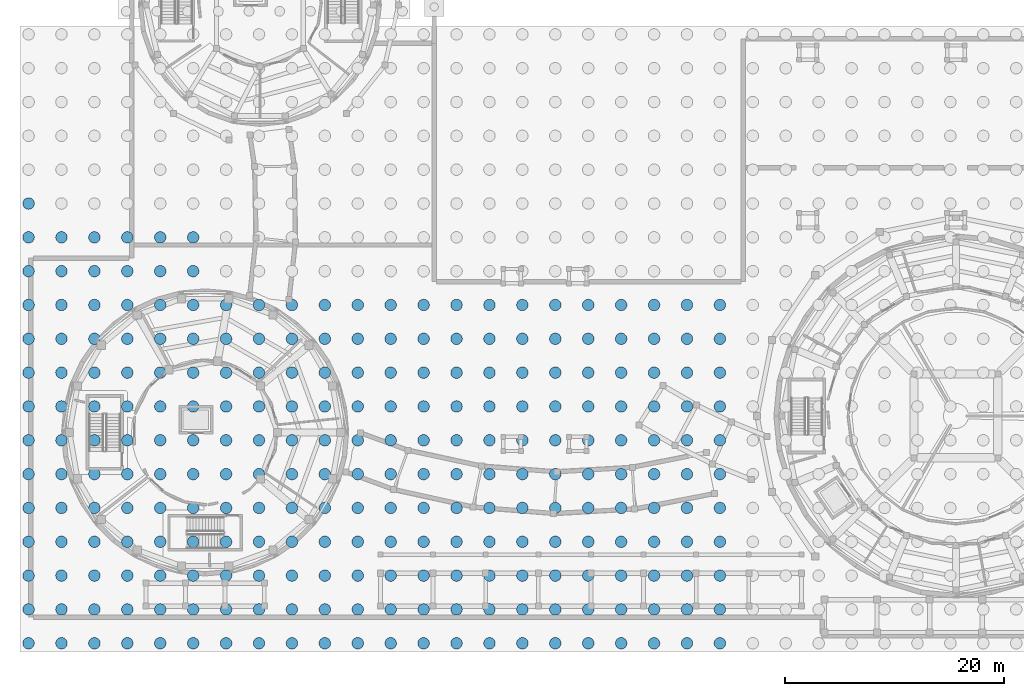
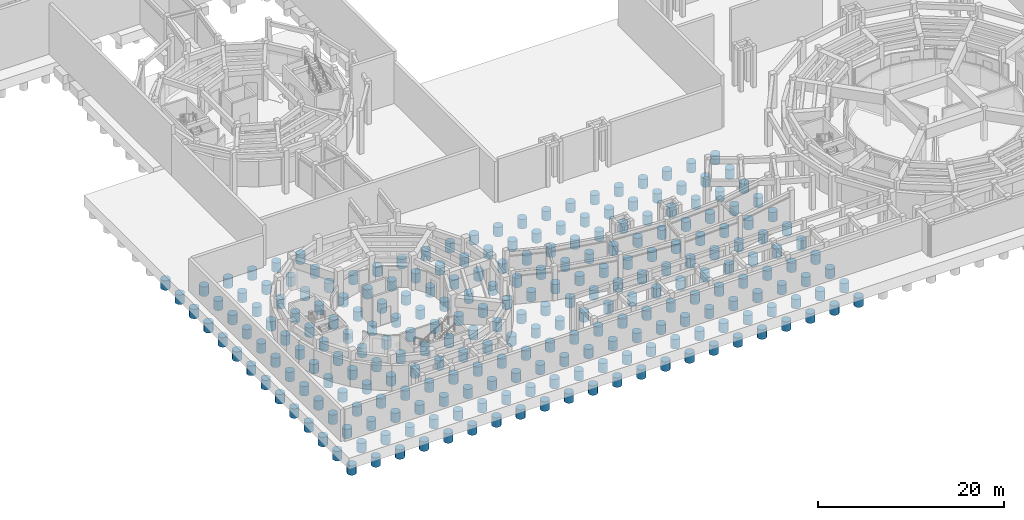
# One storey, part 1 of 57: 255 piles.
"""IFC4 building model written with IfcOpenShell, lengths in metres."""

from ifc_helpers import new_model, si_unit, direction, frame, origin, origin_2d, place, context, subcontext, project, spatial, circle, extrude, material, material_profile, profile_set, type_object, element, save


model = new_model("IFC4")

# Units and contexts
model_context = context("Model", 3, precision=1e-05, world=origin(), true_north=direction((0.0, 1.0)))
body_context = subcontext(model_context, "Body", "Model", "MODEL_VIEW")
ifc_project = project(units=[si_unit("LENGTHUNIT", "METRE"), si_unit("AREAUNIT", "SQUARE_METRE"), si_unit("VOLUMEUNIT", "CUBIC_METRE"), si_unit("PLANEANGLEUNIT", "RADIAN"), si_unit("MASSUNIT", "GRAM", prefix="KILO")], contexts=[model_context])

# Site, building, storey
site_placement = place(None, origin())
site = spatial("IfcSite", under=ifc_project, at=site_placement, CompositionType="ELEMENT")
building_placement = place(site_placement, origin())
building = spatial("IfcBuilding", under=site, at=building_placement, Name="Aldenvaro Health Centre", CompositionType="ELEMENT")
storey_placement = place(building_placement, frame((0.0, 0.0, -4.550048828125)))
storey = spatial("IfcBuildingStorey", under=building, at=storey_placement, Name="B1", CompositionType="ELEMENT", Elevation=-4.550048828125)

# Piles
ifc_material = material(Name="Concrete f'c 40 MPa", Category="concrete")
ifc_material_profile = material_profile(ifc_material, circle(Radius=0.52490234375, at=origin_2d()), Name="PILE D1050", Category="concrete")
ifc_profile_set = profile_set([ifc_material_profile], Name="Concrete f'c 40 MPa")
pile_type = type_object("IfcPileType", Name="PILE-D1050", PredefinedType="BORED", material=ifc_profile_set)
for number, where, z_axis, x_axis, name in (
    (1, (2.39306640625, -0.737060546875, -1.349853515625), (0.0, 0.0, -1.0), (1.0, 0.0, 0.0), "Bored Pile BP-03 #0001"),
    (2, (2.39306640625, 2.34912109375, -1.349853515625), (0.0, 0.0, -1.0), (1.0, 0.0, 0.0), "Bored Pile BP-03 #0002"),
    (3, (2.39306640625, 5.43505859375, -1.349853515625), (0.0, 0.0, -1.0), (1.0, 0.0, 0.0), "Bored Pile BP-03 #0003"),
    (4, (2.39306640625, 8.52099609375, -1.349853515625), (0.0, 0.0, -1.0), (1.0, 0.0, 0.0), "Bored Pile BP-03 #0004"),
    (5, (2.39306640625, 11.60693359375, -1.349853515625), (0.0, 0.0, -1.0), (1.0, 0.0, 0.0), "Bored Pile BP-03 #0005"),
    (6, (2.39306640625, 14.694091796875, -1.349853515625), (0.0, 0.0, -1.0), (1.0, 0.0, 0.0), "Bored Pile BP-03 #0006"),
    (7, (2.39306640625, 17.780029296875, -1.349853515625), (0.0, 0.0, -1.0), (1.0, 0.0, 0.0), "Bored Pile BP-03 #0007"),
    (8, (2.39306640625, 20.865966796875, -1.349853515625), (0.0, 0.0, -1.0), (1.0, 0.0, 0.0), "Bored Pile BP-03 #0008"),
    (9, (2.39306640625, 23.951904296875, -1.349853515625), (0.0, 0.0, -1.0), (1.0, 0.0, 0.0), "Bored Pile BP-03 #0009"),
    (10, (2.39306640625, 27.0380859375, -1.349853515625), (0.0, 0.0, -1.0), (1.0, 0.0, 0.0), "Bored Pile BP-03 #0010"),
    (11, (2.39306640625, 30.1240234375, -1.349853515625), (0.0, 0.0, -1.0), (1.0, 0.0, 0.0), "Bored Pile BP-03 #0011"),
    (12, (2.39306640625, 33.2099609375, -1.349853515625), (0.0, 0.0, -1.0), (1.0, 0.0, 0.0), "Bored Pile BP-03 #0012"),
    (13, (2.39306640625, 36.2958984375, -1.349853515625), (0.0, 0.0, -1.0), (1.0, 0.0, 0.0), "Bored Pile BP-03 #0013"),
    (14, (2.39306640625, 39.382080078125, -1.349853515625), (0.0, 0.0, -1.0), (1.0, 0.0, 0.0), "Bored Pile BP-03 #0014"),
    (15, (5.39599609375, -0.737060546875, -1.349853515625), (0.0, 0.0, -1.0), (1.0, 0.0, 0.0), "Bored Pile BP-03 #0020"),
    (16, (5.39599609375, 2.34912109375, -1.349853515625), (0.0, 0.0, -1.0), (1.0, 0.0, 0.0), "Bored Pile BP-03 #0021"),
    (17, (5.39599609375, 5.43505859375, -1.349853515625), (0.0, 0.0, -1.0), (1.0, 0.0, 0.0), "Bored Pile BP-03 #0022"),
    (18, (5.39599609375, 8.52099609375, -1.349853515625), (0.0, 0.0, -1.0), (1.0, 0.0, 0.0), "Bored Pile BP-03 #0023"),
    (19, (5.39599609375, 11.60693359375, -1.349853515625), (0.0, 0.0, -1.0), (1.0, 0.0, 0.0), "Bored Pile BP-03 #0024"),
    (20, (5.39599609375, 14.694091796875, -1.349853515625), (0.0, 0.0, -1.0), (1.0, 0.0, 0.0), "Bored Pile BP-03 #0025"),
    (21, (5.39599609375, 17.780029296875, -1.349853515625), (0.0, 0.0, -1.0), (1.0, 0.0, 0.0), "Bored Pile BP-03 #0026"),
    (22, (5.39599609375, 20.865966796875, -1.349853515625), (0.0, 0.0, -1.0), (1.0, 0.0, 0.0), "Bored Pile BP-03 #0027"),
    (23, (5.39599609375, 23.951904296875, -1.349853515625), (0.0, 0.0, -1.0), (1.0, 0.0, 0.0), "Bored Pile BP-03 #0028"),
    (24, (5.39599609375, 27.0380859375, -1.349853515625), (0.0, 0.0, -1.0), (1.0, 0.0, 0.0), "Bored Pile BP-03 #0029"),
    (25, (5.39599609375, 30.1240234375, -1.349853515625), (0.0, 0.0, -1.0), (1.0, 0.0, 0.0), "Bored Pile BP-03 #0030"),
    (26, (5.39599609375, 33.2099609375, -1.349853515625), (0.0, 0.0, -1.0), (1.0, 0.0, 0.0), "Bored Pile BP-03 #0031"),
    (27, (5.39599609375, 36.2958984375, -1.349853515625), (0.0, 0.0, -1.0), (1.0, 0.0, 0.0), "Bored Pile BP-03 #0032"),
    (28, (8.39990234375, -0.737060546875, -1.349853515625), (0.0, 0.0, -1.0), (1.0, 0.0, 0.0), "Bored Pile BP-03 #0039"),
    (29, (8.39990234375, 2.34912109375, -1.349853515625), (0.0, 0.0, -1.0), (1.0, 0.0, 0.0), "Bored Pile BP-03 #0040"),
    (30, (8.39990234375, 5.43505859375, -1.349853515625), (0.0, 0.0, -1.0), (1.0, 0.0, 0.0), "Bored Pile BP-03 #0041"),
    (31, (8.39990234375, 8.52099609375, -1.349853515625), (0.0, 0.0, -1.0), (1.0, 0.0, 0.0), "Bored Pile BP-03 #0042"),
    (32, (8.39990234375, 11.60693359375, -1.349853515625), (0.0, 0.0, -1.0), (1.0, 0.0, 0.0), "Bored Pile BP-03 #0043"),
    (33, (8.39990234375, 14.694091796875, -1.349853515625), (0.0, 0.0, -1.0), (1.0, 0.0, 0.0), "Bored Pile BP-03 #0044"),
    (34, (8.39990234375, 17.780029296875, -1.349853515625), (0.0, 0.0, -1.0), (1.0, 0.0, 0.0), "Bored Pile BP-03 #0045"),
    (35, (8.39990234375, 20.865966796875, -1.349853515625), (0.0, 0.0, -1.0), (1.0, 0.0, 0.0), "Bored Pile BP-03 #0046"),
    (36, (8.39990234375, 23.951904296875, -1.349853515625), (0.0, 0.0, -1.0), (1.0, 0.0, 0.0), "Bored Pile BP-03 #0047"),
    (37, (8.39990234375, 27.0380859375, -1.349853515625), (0.0, 0.0, -1.0), (1.0, 0.0, 0.0), "Bored Pile BP-03 #0048"),
    (38, (8.39990234375, 30.1240234375, -1.349853515625), (0.0, 0.0, -1.0), (1.0, 0.0, 0.0), "Bored Pile BP-03 #0049"),
    (39, (8.39990234375, 33.2099609375, -1.349853515625), (0.0, 0.0, -1.0), (1.0, 0.0, 0.0), "Bored Pile BP-03 #0050"),
    (40, (8.39990234375, 36.2958984375, -1.349853515625), (0.0, 0.0, -1.0), (1.0, 0.0, 0.0), "Bored Pile BP-03 #0051"),
    (41, (11.403076171875, -0.737060546875, -1.349853515625), (0.0, 0.0, -1.0), (1.0, 0.0, 0.0), "Bored Pile BP-03 #0058"),
    (42, (11.403076171875, 2.34912109375, -1.349853515625), (0.0, 0.0, -1.0), (1.0, 0.0, 0.0), "Bored Pile BP-03 #0059"),
    (43, (11.403076171875, 5.43505859375, -1.349853515625), (0.0, 0.0, -1.0), (1.0, 0.0, 0.0), "Bored Pile BP-03 #0060"),
    (44, (11.403076171875, 8.52099609375, -1.349853515625), (0.0, 0.0, -1.0), (1.0, 0.0, 0.0), "Bored Pile BP-03 #0061"),
    (45, (11.403076171875, 11.60693359375, -1.349853515625), (0.0, 0.0, -1.0), (1.0, 0.0, 0.0), "Bored Pile BP-03 #0062"),
    (46, (11.403076171875, 14.694091796875, -1.349853515625), (0.0, 0.0, -1.0), (1.0, 0.0, 0.0), "Bored Pile BP-03 #0063"),
    (47, (11.403076171875, 17.780029296875, -1.349853515625), (0.0, 0.0, -1.0), (1.0, 0.0, 0.0), "Bored Pile BP-03 #0064"),
    (48, (11.403076171875, 20.865966796875, -1.349853515625), (0.0, 0.0, -1.0), (1.0, 0.0, 0.0), "Bored Pile BP-03 #0065"),
    (49, (11.403076171875, 23.951904296875, -1.349853515625), (0.0, 0.0, -1.0), (1.0, 0.0, 0.0), "Bored Pile BP-03 #0066"),
    (50, (11.403076171875, 27.0380859375, -1.349853515625), (0.0, 0.0, -1.0), (1.0, 0.0, 0.0), "Bored Pile BP-03 #0067"),
    (51, (11.403076171875, 30.1240234375, -1.349853515625), (0.0, 0.0, -1.0), (1.0, 0.0, 0.0), "Bored Pile BP-03 #0068"),
    (52, (11.403076171875, 33.2099609375, -1.349853515625), (0.0, 0.0, -1.0), (1.0, 0.0, 0.0), "Bored Pile BP-03 #0069"),
    (53, (11.403076171875, 36.2958984375, -1.349853515625), (0.0, 0.0, -1.0), (1.0, 0.0, 0.0), "Bored Pile BP-03 #0070"),
    (54, (14.406982421875, -0.737060546875, -1.349853515625), (0.0, 0.0, -1.0), (1.0, 0.0, 0.0), "Bored Pile BP-03 #0077"),
    (55, (14.406982421875, 2.34912109375, -1.349853515625), (0.0, 0.0, -1.0), (1.0, 0.0, 0.0), "Bored Pile BP-03 #0078"),
    (56, (14.406982421875, 5.43505859375, -1.349853515625), (0.0, 0.0, -1.0), (1.0, 0.0, 0.0), "Bored Pile BP-03 #0079"),
    (57, (14.406982421875, 8.52099609375, -1.349853515625), (0.0, 0.0, -1.0), (1.0, 0.0, 0.0), "Bored Pile BP-03 #0080"),
    (58, (14.406982421875, 11.60693359375, -1.349853515625), (0.0, 0.0, -1.0), (1.0, 0.0, 0.0), "Bored Pile BP-03 #0081"),
    (59, (14.406982421875, 14.694091796875, -1.349853515625), (0.0, 0.0, -1.0), (1.0, 0.0, 0.0), "Bored Pile BP-03 #0082"),
    (60, (14.406982421875, 17.780029296875, -1.349853515625), (0.0, 0.0, -1.0), (1.0, 0.0, 0.0), "Bored Pile BP-03 #0083"),
    (61, (14.406982421875, 20.865966796875, -1.349853515625), (0.0, 0.0, -1.0), (1.0, 0.0, 0.0), "Bored Pile BP-03 #0084"),
    (62, (14.406982421875, 23.951904296875, -1.349853515625), (0.0, 0.0, -1.0), (1.0, 0.0, 0.0), "Bored Pile BP-03 #0085"),
    (63, (14.406982421875, 27.0380859375, -1.349853515625), (0.0, 0.0, -1.0), (1.0, 0.0, 0.0), "Bored Pile BP-03 #0086"),
    (64, (14.406982421875, 30.1240234375, -1.349853515625), (0.0, 0.0, -1.0), (1.0, 0.0, 0.0), "Bored Pile BP-03 #0087"),
    (65, (14.406982421875, 33.2099609375, -1.349853515625), (0.0, 0.0, -1.0), (1.0, 0.0, 0.0), "Bored Pile BP-03 #0088"),
    (66, (14.406982421875, 36.2958984375, -1.349853515625), (0.0, 0.0, -1.0), (1.0, 0.0, 0.0), "Bored Pile BP-03 #0089"),
    (67, (17.409912109375, -0.737060546875, -1.349853515625), (0.0, 0.0, -1.0), (1.0, 0.0, 0.0), "Bored Pile BP-03 #0096"),
    (68, (17.409912109375, 2.34912109375, -1.349853515625), (0.0, 0.0, -1.0), (1.0, 0.0, 0.0), "Bored Pile BP-03 #0097"),
    (69, (17.409912109375, 5.43505859375, -1.349853515625), (0.0, 0.0, -1.0), (1.0, 0.0, 0.0), "Bored Pile BP-03 #0098"),
    (70, (17.409912109375, 8.52099609375, -1.349853515625), (0.0, 0.0, -1.0), (1.0, 0.0, 0.0), "Bored Pile BP-03 #0099"),
    (71, (17.409912109375, 11.60693359375, -1.349853515625), (0.0, 0.0, -1.0), (1.0, 0.0, 0.0), "Bored Pile BP-03 #0100"),
    (72, (17.409912109375, 14.694091796875, -1.349853515625), (0.0, 0.0, -1.0), (1.0, 0.0, 0.0), "Bored Pile BP-03 #0101"),
    (73, (17.409912109375, 17.780029296875, -1.349853515625), (0.0, 0.0, -1.0), (1.0, 0.0, 0.0), "Bored Pile BP-03 #0102"),
    (74, (17.409912109375, 20.865966796875, -1.349853515625), (0.0, 0.0, -1.0), (1.0, 0.0, 0.0), "Bored Pile BP-03 #0103"),
    (75, (17.409912109375, 23.951904296875, -1.349853515625), (0.0, 0.0, -1.0), (1.0, 0.0, 0.0), "Bored Pile BP-03 #0104"),
    (76, (17.409912109375, 27.0380859375, -1.349853515625), (0.0, 0.0, -1.0), (1.0, 0.0, 0.0), "Bored Pile BP-03 #0105"),
    (77, (17.409912109375, 30.1240234375, -1.349853515625), (0.0, 0.0, -1.0), (1.0, 0.0, 0.0), "Bored Pile BP-03 #0106"),
    (78, (17.409912109375, 33.2099609375, -1.349853515625), (0.0, 0.0, -1.0), (1.0, 0.0, 0.0), "Bored Pile BP-03 #0107"),
    (79, (17.409912109375, 36.2958984375, -1.349853515625), (0.0, 0.0, -1.0), (1.0, 0.0, 0.0), "Bored Pile BP-03 #0108"),
    (80, (20.4140625, -0.737060546875, -1.349853515625), (0.0, 0.0, -1.0), (1.0, 0.0, 0.0), "Bored Pile BP-03 #0115"),
    (81, (20.4140625, 2.34912109375, -1.349853515625), (0.0, 0.0, -1.0), (1.0, 0.0, 0.0), "Bored Pile BP-03 #0116"),
    (82, (20.4140625, 5.43505859375, -1.349853515625), (0.0, 0.0, -1.0), (1.0, 0.0, 0.0), "Bored Pile BP-03 #0117"),
    (83, (20.4140625, 8.52099609375, -1.349853515625), (0.0, 0.0, -1.0), (1.0, 0.0, 0.0), "Bored Pile BP-03 #0118"),
    (84, (20.4140625, 11.60693359375, -1.349853515625), (0.0, 0.0, -1.0), (1.0, 0.0, 0.0), "Bored Pile BP-03 #0119"),
    (85, (20.4140625, 14.694091796875, -1.349853515625), (0.0, 0.0, -1.0), (1.0, 0.0, 0.0), "Bored Pile BP-03 #0120"),
    (86, (20.4140625, 17.780029296875, -1.349853515625), (0.0, 0.0, -1.0), (1.0, 0.0, 0.0), "Bored Pile BP-03 #0121"),
    (87, (20.4140625, 20.865966796875, -1.349853515625), (0.0, 0.0, -1.0), (1.0, 0.0, 0.0), "Bored Pile BP-03 #0122"),
    (88, (20.4140625, 23.951904296875, -1.349853515625), (0.0, 0.0, -1.0), (1.0, 0.0, 0.0), "Bored Pile BP-03 #0123"),
    (89, (20.4140625, 27.0380859375, -1.349853515625), (0.0, 0.0, -1.0), (1.0, 0.0, 0.0), "Bored Pile BP-03 #0124"),
    (90, (20.4140625, 30.1240234375, -1.349853515625), (0.0, 0.0, -1.0), (1.0, 0.0, 0.0), "Bored Pile BP-03 #0125"),
    (91, (23.4169921875, -0.737060546875, -1.349853515625), (0.0, 0.0, -1.0), (1.0, 0.0, 0.0), "Bored Pile BP-03 #0134"),
    (92, (23.4169921875, 2.34912109375, -1.349853515625), (0.0, 0.0, -1.0), (1.0, 0.0, 0.0), "Bored Pile BP-03 #0135"),
    (93, (23.4169921875, 5.43505859375, -1.349853515625), (0.0, 0.0, -1.0), (1.0, 0.0, 0.0), "Bored Pile BP-03 #0136"),
    (94, (23.4169921875, 8.52099609375, -1.349853515625), (0.0, 0.0, -1.0), (1.0, 0.0, 0.0), "Bored Pile BP-03 #0137"),
    (95, (23.4169921875, 11.60693359375, -1.349853515625), (0.0, 0.0, -1.0), (1.0, 0.0, 0.0), "Bored Pile BP-03 #0138"),
    (96, (23.4169921875, 14.694091796875, -1.349853515625), (0.0, 0.0, -1.0), (1.0, 0.0, 0.0), "Bored Pile BP-03 #0139"),
    (97, (23.4169921875, 17.780029296875, -1.349853515625), (0.0, 0.0, -1.0), (1.0, 0.0, 0.0), "Bored Pile BP-03 #0140"),
    (98, (23.4169921875, 20.865966796875, -1.349853515625), (0.0, 0.0, -1.0), (1.0, 0.0, 0.0), "Bored Pile BP-03 #0141"),
    (99, (23.4169921875, 23.951904296875, -1.349853515625), (0.0, 0.0, -1.0), (1.0, 0.0, 0.0), "Bored Pile BP-03 #0142"),
    (100, (23.4169921875, 27.0380859375, -1.349853515625), (0.0, 0.0, -1.0), (1.0, 0.0, 0.0), "Bored Pile BP-03 #0143"),
    (101, (23.4169921875, 30.1240234375, -1.349853515625), (0.0, 0.0, -1.0), (1.0, 0.0, 0.0), "Bored Pile BP-03 #0144"),
    (102, (26.4208984375, -0.737060546875, -1.349853515625), (0.0, 0.0, -1.0), (1.0, 0.0, 0.0), "Bored Pile BP-03 #0153"),
    (103, (26.4208984375, 2.34912109375, -1.349853515625), (0.0, 0.0, -1.0), (1.0, 0.0, 0.0), "Bored Pile BP-03 #0154"),
    (104, (26.4208984375, 5.43505859375, -1.349853515625), (0.0, 0.0, -1.0), (1.0, 0.0, 0.0), "Bored Pile BP-03 #0155"),
    (105, (26.4208984375, 8.52099609375, -1.349853515625), (0.0, 0.0, -1.0), (1.0, 0.0, 0.0), "Bored Pile BP-03 #0156"),
    (106, (26.4208984375, 11.60693359375, -1.349853515625), (0.0, 0.0, -1.0), (1.0, 0.0, 0.0), "Bored Pile BP-03 #0157"),
    (107, (26.4208984375, 14.694091796875, -1.349853515625), (0.0, 0.0, -1.0), (1.0, 0.0, 0.0), "Bored Pile BP-03 #0158"),
    (108, (26.4208984375, 17.780029296875, -1.349853515625), (0.0, 0.0, -1.0), (1.0, 0.0, 0.0), "Bored Pile BP-03 #0159"),
    (109, (26.4208984375, 20.865966796875, -1.349853515625), (0.0, 0.0, -1.0), (1.0, 0.0, 0.0), "Bored Pile BP-03 #0160"),
    (110, (26.4208984375, 23.951904296875, -1.349853515625), (0.0, 0.0, -1.0), (1.0, 0.0, 0.0), "Bored Pile BP-03 #0161"),
    (111, (26.4208984375, 27.0380859375, -1.349853515625), (0.0, 0.0, -1.0), (1.0, 0.0, 0.0), "Bored Pile BP-03 #0162"),
    (112, (26.4208984375, 30.1240234375, -1.349853515625), (0.0, 0.0, -1.0), (1.0, 0.0, 0.0), "Bored Pile BP-03 #0163"),
    (113, (29.424072265625, -0.737060546875, -1.349853515625), (0.0, 0.0, -1.0), (1.0, 0.0, 0.0), "Bored Pile BP-03 #0172"),
    (114, (29.424072265625, 2.34912109375, -1.349853515625), (0.0, 0.0, -1.0), (1.0, 0.0, 0.0), "Bored Pile BP-03 #0173"),
    (115, (29.424072265625, 5.43505859375, -1.349853515625), (0.0, 0.0, -1.0), (1.0, 0.0, 0.0), "Bored Pile BP-03 #0174"),
    (116, (29.424072265625, 8.52099609375, -1.349853515625), (0.0, 0.0, -1.0), (1.0, 0.0, 0.0), "Bored Pile BP-03 #0175"),
    (117, (29.424072265625, 11.60693359375, -1.349853515625), (0.0, 0.0, -1.0), (1.0, 0.0, 0.0), "Bored Pile BP-03 #0176"),
    (118, (29.424072265625, 14.694091796875, -1.349853515625), (0.0, 0.0, -1.0), (1.0, 0.0, 0.0), "Bored Pile BP-03 #0177"),
    (119, (29.424072265625, 17.780029296875, -1.349853515625), (0.0, 0.0, -1.0), (1.0, 0.0, 0.0), "Bored Pile BP-03 #0178"),
    (120, (29.424072265625, 20.865966796875, -1.349853515625), (0.0, 0.0, -1.0), (1.0, 0.0, 0.0), "Bored Pile BP-03 #0179"),
    (121, (29.424072265625, 23.951904296875, -1.349853515625), (0.0, 0.0, -1.0), (1.0, 0.0, 0.0), "Bored Pile BP-03 #0180"),
    (122, (29.424072265625, 27.0380859375, -1.349853515625), (0.0, 0.0, -1.0), (1.0, 0.0, 0.0), "Bored Pile BP-03 #0181"),
    (123, (29.424072265625, 30.1240234375, -1.349853515625), (0.0, 0.0, -1.0), (1.0, 0.0, 0.0), "Bored Pile BP-03 #0182"),
    (124, (32.427978515625, -0.737060546875, -1.349853515625), (0.0, 0.0, -1.0), (1.0, 0.0, 0.0), "Bored Pile BP-03 #0191"),
    (125, (32.427978515625, 2.34912109375, -1.349853515625), (0.0, 0.0, -1.0), (1.0, 0.0, 0.0), "Bored Pile BP-03 #0192"),
    (126, (32.427978515625, 5.43505859375, -1.349853515625), (0.0, 0.0, -1.0), (1.0, 0.0, 0.0), "Bored Pile BP-03 #0193"),
    (127, (32.427978515625, 8.52099609375, -1.349853515625), (0.0, 0.0, -1.0), (1.0, 0.0, 0.0), "Bored Pile BP-03 #0194"),
    (128, (32.427978515625, 11.60693359375, -1.349853515625), (0.0, 0.0, -1.0), (1.0, 0.0, 0.0), "Bored Pile BP-03 #0195"),
    (129, (32.427978515625, 14.694091796875, -1.349853515625), (0.0, 0.0, -1.0), (1.0, 0.0, 0.0), "Bored Pile BP-03 #0196"),
    (130, (32.427978515625, 17.780029296875, -1.349853515625), (0.0, 0.0, -1.0), (1.0, 0.0, 0.0), "Bored Pile BP-03 #0197"),
    (131, (32.427978515625, 20.865966796875, -1.349853515625), (0.0, 0.0, -1.0), (1.0, 0.0, 0.0), "Bored Pile BP-03 #0198"),
    (132, (32.427978515625, 23.951904296875, -1.349853515625), (0.0, 0.0, -1.0), (1.0, 0.0, 0.0), "Bored Pile BP-03 #0199"),
    (133, (32.427978515625, 27.0380859375, -1.349853515625), (0.0, 0.0, -1.0), (1.0, 0.0, 0.0), "Bored Pile BP-03 #0200"),
    (134, (32.427978515625, 30.1240234375, -1.349853515625), (0.0, 0.0, -1.0), (1.0, 0.0, 0.0), "Bored Pile BP-03 #0201"),
    (135, (35.430908203125, -0.737060546875, -1.349853515625), (0.0, 0.0, -1.0), (1.0, 0.0, 0.0), "Bored Pile BP-03 #0210"),
    (136, (35.430908203125, 2.34912109375, -1.349853515625), (0.0, 0.0, -1.0), (1.0, 0.0, 0.0), "Bored Pile BP-03 #0211"),
    (137, (35.430908203125, 5.43505859375, -1.349853515625), (0.0, 0.0, -1.0), (1.0, 0.0, 0.0), "Bored Pile BP-03 #0212"),
    (138, (35.430908203125, 8.52099609375, -1.349853515625), (0.0, 0.0, -1.0), (1.0, 0.0, 0.0), "Bored Pile BP-03 #0213"),
    (139, (35.430908203125, 11.60693359375, -1.349853515625), (0.0, 0.0, -1.0), (1.0, 0.0, 0.0), "Bored Pile BP-03 #0214"),
    (140, (35.430908203125, 14.694091796875, -1.349853515625), (0.0, 0.0, -1.0), (1.0, 0.0, 0.0), "Bored Pile BP-03 #0215"),
    (141, (35.430908203125, 17.780029296875, -1.349853515625), (0.0, 0.0, -1.0), (1.0, 0.0, 0.0), "Bored Pile BP-03 #0216"),
    (142, (35.430908203125, 20.865966796875, -1.349853515625), (0.0, 0.0, -1.0), (1.0, 0.0, 0.0), "Bored Pile BP-03 #0217"),
    (143, (35.430908203125, 23.951904296875, -1.349853515625), (0.0, 0.0, -1.0), (1.0, 0.0, 0.0), "Bored Pile BP-03 #0218"),
    (144, (35.430908203125, 27.0380859375, -1.349853515625), (0.0, 0.0, -1.0), (1.0, 0.0, 0.0), "Bored Pile BP-03 #0219"),
    (145, (35.430908203125, 30.1240234375, -1.349853515625), (0.0, 0.0, -1.0), (1.0, 0.0, 0.0), "Bored Pile BP-03 #0220"),
    (146, (38.43505859375, -0.737060546875, -1.349853515625), (0.0, 0.0, -1.0), (1.0, 0.0, 0.0), "Bored Pile BP-03 #0229"),
    (147, (38.43505859375, 2.34912109375, -1.349853515625), (0.0, 0.0, -1.0), (1.0, 0.0, 0.0), "Bored Pile BP-03 #0230"),
    (148, (38.43505859375, 5.43505859375, -1.349853515625), (0.0, 0.0, -1.0), (1.0, 0.0, 0.0), "Bored Pile BP-03 #0231"),
    (149, (38.43505859375, 8.52099609375, -1.349853515625), (0.0, 0.0, -1.0), (1.0, 0.0, 0.0), "Bored Pile BP-03 #0232"),
    (150, (38.43505859375, 11.60693359375, -1.349853515625), (0.0, 0.0, -1.0), (1.0, 0.0, 0.0), "Bored Pile BP-03 #0233"),
    (151, (38.43505859375, 14.694091796875, -1.349853515625), (0.0, 0.0, -1.0), (1.0, 0.0, 0.0), "Bored Pile BP-03 #0234"),
    (152, (38.43505859375, 17.780029296875, -1.349853515625), (0.0, 0.0, -1.0), (1.0, 0.0, 0.0), "Bored Pile BP-03 #0235"),
    (153, (38.43505859375, 20.865966796875, -1.349853515625), (0.0, 0.0, -1.0), (1.0, 0.0, 0.0), "Bored Pile BP-03 #0236"),
    (154, (38.43505859375, 23.951904296875, -1.349853515625), (0.0, 0.0, -1.0), (1.0, 0.0, 0.0), "Bored Pile BP-03 #0237"),
    (155, (38.43505859375, 27.0380859375, -1.349853515625), (0.0, 0.0, -1.0), (1.0, 0.0, 0.0), "Bored Pile BP-03 #0238"),
    (156, (38.43505859375, 30.1240234375, -1.349853515625), (0.0, 0.0, -1.0), (1.0, 0.0, 0.0), "Bored Pile BP-03 #0239"),
    (157, (41.43798828125, -0.737060546875, -1.349853515625), (0.0, 0.0, -1.0), (1.0, 0.0, 0.0), "Bored Pile BP-03 #0248"),
    (158, (41.43798828125, 2.34912109375, -1.349853515625), (0.0, 0.0, -1.0), (1.0, 0.0, 0.0), "Bored Pile BP-03 #0249"),
    (159, (41.43798828125, 5.43505859375, -1.349853515625), (0.0, 0.0, -1.0), (1.0, 0.0, 0.0), "Bored Pile BP-03 #0250"),
    (160, (41.43798828125, 8.52099609375, -1.349853515625), (0.0, 0.0, -1.0), (1.0, 0.0, 0.0), "Bored Pile BP-03 #0251"),
    (161, (41.43798828125, 11.60693359375, -1.349853515625), (0.0, 0.0, -1.0), (1.0, 0.0, 0.0), "Bored Pile BP-03 #0252"),
    (162, (41.43798828125, 14.694091796875, -1.349853515625), (0.0, 0.0, -1.0), (1.0, 0.0, 0.0), "Bored Pile BP-03 #0253"),
    (163, (41.43798828125, 17.780029296875, -1.349853515625), (0.0, 0.0, -1.0), (1.0, 0.0, 0.0), "Bored Pile BP-03 #0254"),
    (164, (41.43798828125, 20.865966796875, -1.349853515625), (0.0, 0.0, -1.0), (1.0, 0.0, 0.0), "Bored Pile BP-03 #0255"),
    (165, (41.43798828125, 23.951904296875, -1.349853515625), (0.0, 0.0, -1.0), (1.0, 0.0, 0.0), "Bored Pile BP-03 #0256"),
    (166, (41.43798828125, 27.0380859375, -1.349853515625), (0.0, 0.0, -1.0), (1.0, 0.0, 0.0), "Bored Pile BP-03 #0257"),
    (167, (41.43798828125, 30.1240234375, -1.349853515625), (0.0, 0.0, -1.0), (1.0, 0.0, 0.0), "Bored Pile BP-03 #0258"),
    (168, (44.44189453125, -0.737060546875, -1.349853515625), (0.0, 0.0, -1.0), (1.0, 0.0, 0.0), "Bored Pile BP-03 #0267"),
    (169, (44.44189453125, 2.34912109375, -1.349853515625), (0.0, 0.0, -1.0), (1.0, 0.0, 0.0), "Bored Pile BP-03 #0268"),
    (170, (44.44189453125, 5.43505859375, -1.349853515625), (0.0, 0.0, -1.0), (1.0, 0.0, 0.0), "Bored Pile BP-03 #0269"),
    (171, (44.44189453125, 8.52099609375, -1.349853515625), (0.0, 0.0, -1.0), (1.0, 0.0, 0.0), "Bored Pile BP-03 #0270"),
    (172, (44.44189453125, 11.60693359375, -1.349853515625), (0.0, 0.0, -1.0), (1.0, 0.0, 0.0), "Bored Pile BP-03 #0271"),
    (173, (44.44189453125, 14.694091796875, -1.349853515625), (0.0, 0.0, -1.0), (1.0, 0.0, 0.0), "Bored Pile BP-03 #0272"),
    (174, (44.44189453125, 17.780029296875, -1.349853515625), (0.0, 0.0, -1.0), (1.0, 0.0, 0.0), "Bored Pile BP-03 #0273"),
    (175, (44.44189453125, 20.865966796875, -1.349853515625), (0.0, 0.0, -1.0), (1.0, 0.0, 0.0), "Bored Pile BP-03 #0274"),
    (176, (44.44189453125, 23.951904296875, -1.349853515625), (0.0, 0.0, -1.0), (1.0, 0.0, 0.0), "Bored Pile BP-03 #0275"),
    (177, (44.44189453125, 27.0380859375, -1.349853515625), (0.0, 0.0, -1.0), (1.0, 0.0, 0.0), "Bored Pile BP-03 #0276"),
    (178, (44.44189453125, 30.1240234375, -1.349853515625), (0.0, 0.0, -1.0), (1.0, 0.0, 0.0), "Bored Pile BP-03 #0277"),
    (179, (47.445068359375, -0.737060546875, -1.349853515625), (0.0, 0.0, -1.0), (1.0, 0.0, 0.0), "Bored Pile BP-03 #0286"),
    (180, (47.445068359375, 2.34912109375, -1.349853515625), (0.0, 0.0, -1.0), (1.0, 0.0, 0.0), "Bored Pile BP-03 #0287"),
    (181, (47.445068359375, 5.43505859375, -1.349853515625), (0.0, 0.0, -1.0), (1.0, 0.0, 0.0), "Bored Pile BP-03 #0288"),
    (182, (47.445068359375, 8.52099609375, -1.349853515625), (0.0, 0.0, -1.0), (1.0, 0.0, 0.0), "Bored Pile BP-03 #0289"),
    (183, (47.445068359375, 11.60693359375, -1.349853515625), (0.0, 0.0, -1.0), (1.0, 0.0, 0.0), "Bored Pile BP-03 #0290"),
    (184, (47.445068359375, 14.694091796875, -1.349853515625), (0.0, 0.0, -1.0), (1.0, 0.0, 0.0), "Bored Pile BP-03 #0291"),
    (185, (47.445068359375, 17.780029296875, -1.349853515625), (0.0, 0.0, -1.0), (1.0, 0.0, 0.0), "Bored Pile BP-03 #0292"),
    (186, (47.445068359375, 20.865966796875, -1.349853515625), (0.0, 0.0, -1.0), (1.0, 0.0, 0.0), "Bored Pile BP-03 #0293"),
    (187, (47.445068359375, 23.951904296875, -1.349853515625), (0.0, 0.0, -1.0), (1.0, 0.0, 0.0), "Bored Pile BP-03 #0294"),
    (188, (47.445068359375, 27.0380859375, -1.349853515625), (0.0, 0.0, -1.0), (1.0, 0.0, 0.0), "Bored Pile BP-03 #0295"),
    (189, (47.445068359375, 30.1240234375, -1.349853515625), (0.0, 0.0, -1.0), (1.0, 0.0, 0.0), "Bored Pile BP-03 #0296"),
    (190, (50.448974609375, -0.737060546875, -1.349853515625), (0.0, 0.0, -1.0), (1.0, 0.0, 0.0), "Bored Pile BP-03 #0305"),
    (191, (50.448974609375, 2.34912109375, -1.349853515625), (0.0, 0.0, -1.0), (1.0, 0.0, 0.0), "Bored Pile BP-03 #0306"),
    (192, (50.448974609375, 5.43505859375, -1.349853515625), (0.0, 0.0, -1.0), (1.0, 0.0, 0.0), "Bored Pile BP-03 #0307"),
    (193, (50.448974609375, 8.52099609375, -1.349853515625), (0.0, 0.0, -1.0), (1.0, 0.0, 0.0), "Bored Pile BP-03 #0308"),
    (194, (50.448974609375, 11.60693359375, -1.349853515625), (0.0, 0.0, -1.0), (1.0, 0.0, 0.0), "Bored Pile BP-03 #0309"),
    (195, (50.448974609375, 14.694091796875, -1.349853515625), (0.0, 0.0, -1.0), (1.0, 0.0, 0.0), "Bored Pile BP-03 #0310"),
    (196, (50.448974609375, 17.780029296875, -1.349853515625), (0.0, 0.0, -1.0), (1.0, 0.0, 0.0), "Bored Pile BP-03 #0311"),
    (197, (50.448974609375, 20.865966796875, -1.349853515625), (0.0, 0.0, -1.0), (1.0, 0.0, 0.0), "Bored Pile BP-03 #0312"),
    (198, (50.448974609375, 23.951904296875, -1.349853515625), (0.0, 0.0, -1.0), (1.0, 0.0, 0.0), "Bored Pile BP-03 #0313"),
    (199, (50.448974609375, 27.0380859375, -1.349853515625), (0.0, 0.0, -1.0), (1.0, 0.0, 0.0), "Bored Pile BP-03 #0314"),
    (200, (50.448974609375, 30.1240234375, -1.349853515625), (0.0, 0.0, -1.0), (1.0, 0.0, 0.0), "Bored Pile BP-03 #0315"),
    (201, (53.451904296875, -0.737060546875, -1.349853515625), (0.0, 0.0, -1.0), (1.0, 0.0, 0.0), "Bored Pile BP-03 #0324"),
    (202, (53.451904296875, 2.34912109375, -1.349853515625), (0.0, 0.0, -1.0), (1.0, 0.0, 0.0), "Bored Pile BP-03 #0325"),
    (203, (53.451904296875, 5.43505859375, -1.349853515625), (0.0, 0.0, -1.0), (1.0, 0.0, 0.0), "Bored Pile BP-03 #0326"),
    (204, (53.451904296875, 8.52099609375, -1.349853515625), (0.0, 0.0, -1.0), (1.0, 0.0, 0.0), "Bored Pile BP-03 #0327"),
    (205, (53.451904296875, 11.60693359375, -1.349853515625), (0.0, 0.0, -1.0), (1.0, 0.0, 0.0), "Bored Pile BP-03 #0328"),
    (206, (53.451904296875, 14.694091796875, -1.349853515625), (0.0, 0.0, -1.0), (1.0, 0.0, 0.0), "Bored Pile BP-03 #0329"),
    (207, (53.451904296875, 17.780029296875, -1.349853515625), (0.0, 0.0, -1.0), (1.0, 0.0, 0.0), "Bored Pile BP-03 #0330"),
    (208, (53.451904296875, 20.865966796875, -1.349853515625), (0.0, 0.0, -1.0), (1.0, 0.0, 0.0), "Bored Pile BP-03 #0331"),
    (209, (53.451904296875, 23.951904296875, -1.349853515625), (0.0, 0.0, -1.0), (1.0, 0.0, 0.0), "Bored Pile BP-03 #0332"),
    (210, (53.451904296875, 27.0380859375, -1.349853515625), (0.0, 0.0, -1.0), (1.0, 0.0, 0.0), "Bored Pile BP-03 #0333"),
    (211, (53.451904296875, 30.1240234375, -1.349853515625), (0.0, 0.0, -1.0), (1.0, 0.0, 0.0), "Bored Pile BP-03 #0334"),
    (212, (56.4560546875, -0.737060546875, -1.349853515625), (0.0, 0.0, -1.0), (1.0, 0.0, 0.0), "Bored Pile BP-03 #0343"),
    (213, (56.4560546875, 2.34912109375, -1.349853515625), (0.0, 0.0, -1.0), (1.0, 0.0, 0.0), "Bored Pile BP-03 #0344"),
    (214, (56.4560546875, 5.43505859375, -1.349853515625), (0.0, 0.0, -1.0), (1.0, 0.0, 0.0), "Bored Pile BP-03 #0345"),
    (215, (56.4560546875, 8.52099609375, -1.349853515625), (0.0, 0.0, -1.0), (1.0, 0.0, 0.0), "Bored Pile BP-03 #0346"),
    (216, (56.4560546875, 11.60693359375, -1.349853515625), (0.0, 0.0, -1.0), (1.0, 0.0, 0.0), "Bored Pile BP-03 #0347"),
    (217, (56.4560546875, 14.694091796875, -1.349853515625), (0.0, 0.0, -1.0), (1.0, 0.0, 0.0), "Bored Pile BP-03 #0348"),
    (218, (56.4560546875, 17.780029296875, -1.349853515625), (0.0, 0.0, -1.0), (1.0, 0.0, 0.0), "Bored Pile BP-03 #0349"),
    (219, (56.4560546875, 20.865966796875, -1.349853515625), (0.0, 0.0, -1.0), (1.0, 0.0, 0.0), "Bored Pile BP-03 #0350"),
    (220, (56.4560546875, 23.951904296875, -1.349853515625), (0.0, 0.0, -1.0), (1.0, 0.0, 0.0), "Bored Pile BP-03 #0351"),
    (221, (56.4560546875, 27.0380859375, -1.349853515625), (0.0, 0.0, -1.0), (1.0, 0.0, 0.0), "Bored Pile BP-03 #0352"),
    (222, (56.4560546875, 30.1240234375, -1.349853515625), (0.0, 0.0, -1.0), (1.0, 0.0, 0.0), "Bored Pile BP-03 #0353"),
    (223, (59.458984375, -0.737060546875, -1.349853515625), (0.0, 0.0, -1.0), (1.0, 0.0, 0.0), "Bored Pile BP-03 #0362"),
    (224, (59.458984375, 2.34912109375, -1.349853515625), (0.0, 0.0, -1.0), (1.0, 0.0, 0.0), "Bored Pile BP-03 #0363"),
    (225, (59.458984375, 5.43505859375, -1.349853515625), (0.0, 0.0, -1.0), (1.0, 0.0, 0.0), "Bored Pile BP-03 #0364"),
    (226, (59.458984375, 8.52099609375, -1.349853515625), (0.0, 0.0, -1.0), (1.0, 0.0, 0.0), "Bored Pile BP-03 #0365"),
    (227, (59.458984375, 11.60693359375, -1.349853515625), (0.0, 0.0, -1.0), (1.0, 0.0, 0.0), "Bored Pile BP-03 #0366"),
    (228, (59.458984375, 14.694091796875, -1.349853515625), (0.0, 0.0, -1.0), (1.0, 0.0, 0.0), "Bored Pile BP-03 #0367"),
    (229, (59.458984375, 17.780029296875, -1.349853515625), (0.0, 0.0, -1.0), (1.0, 0.0, 0.0), "Bored Pile BP-03 #0368"),
    (230, (59.458984375, 20.865966796875, -1.349853515625), (0.0, 0.0, -1.0), (1.0, 0.0, 0.0), "Bored Pile BP-03 #0369"),
    (231, (59.458984375, 23.951904296875, -1.349853515625), (0.0, 0.0, -1.0), (1.0, 0.0, 0.0), "Bored Pile BP-03 #0370"),
    (232, (59.458984375, 27.0380859375, -1.349853515625), (0.0, 0.0, -1.0), (1.0, 0.0, 0.0), "Bored Pile BP-03 #0371"),
    (233, (59.458984375, 30.1240234375, -1.349853515625), (0.0, 0.0, -1.0), (1.0, 0.0, 0.0), "Bored Pile BP-03 #0372"),
    (234, (62.462890625, -0.737060546875, -1.349853515625), (0.0, 0.0, -1.0), (1.0, 0.0, 0.0), "Bored Pile BP-03 #0381"),
    (235, (62.462890625, 2.34912109375, -1.349853515625), (0.0, 0.0, -1.0), (1.0, 0.0, 0.0), "Bored Pile BP-03 #0382"),
    (236, (62.462890625, 5.43505859375, -1.349853515625), (0.0, 0.0, -1.0), (1.0, 0.0, 0.0), "Bored Pile BP-03 #0383"),
    (237, (62.462890625, 8.52099609375, -1.349853515625), (0.0, 0.0, -1.0), (1.0, 0.0, 0.0), "Bored Pile BP-03 #0384"),
    (238, (62.462890625, 11.60693359375, -1.349853515625), (0.0, 0.0, -1.0), (1.0, 0.0, 0.0), "Bored Pile BP-03 #0385"),
    (239, (62.462890625, 14.694091796875, -1.349853515625), (0.0, 0.0, -1.0), (1.0, 0.0, 0.0), "Bored Pile BP-03 #0386"),
    (240, (62.462890625, 17.780029296875, -1.349853515625), (0.0, 0.0, -1.0), (1.0, 0.0, 0.0), "Bored Pile BP-03 #0387"),
    (241, (62.462890625, 20.865966796875, -1.349853515625), (0.0, 0.0, -1.0), (1.0, 0.0, 0.0), "Bored Pile BP-03 #0388"),
    (242, (62.462890625, 23.951904296875, -1.349853515625), (0.0, 0.0, -1.0), (1.0, 0.0, 0.0), "Bored Pile BP-03 #0389"),
    (243, (62.462890625, 27.0380859375, -1.349853515625), (0.0, 0.0, -1.0), (1.0, 0.0, 0.0), "Bored Pile BP-03 #0390"),
    (244, (62.462890625, 30.1240234375, -1.349853515625), (0.0, 0.0, -1.0), (1.0, 0.0, 0.0), "Bored Pile BP-03 #0391"),
    (245, (65.466064453125, -0.737060546875, -1.349853515625), (0.0, 0.0, -1.0), (1.0, 0.0, 0.0), "Bored Pile BP-03 #0400"),
    (246, (65.466064453125, 2.34912109375, -1.349853515625), (0.0, 0.0, -1.0), (1.0, 0.0, 0.0), "Bored Pile BP-03 #0401"),
    (247, (65.466064453125, 5.43505859375, -1.349853515625), (0.0, 0.0, -1.0), (1.0, 0.0, 0.0), "Bored Pile BP-03 #0402"),
    (248, (65.466064453125, 8.52099609375, -1.349853515625), (0.0, 0.0, -1.0), (1.0, 0.0, 0.0), "Bored Pile BP-03 #0403"),
    (249, (65.466064453125, 11.60693359375, -1.349853515625), (0.0, 0.0, -1.0), (1.0, 0.0, 0.0), "Bored Pile BP-03 #0404"),
    (250, (65.466064453125, 14.694091796875, -1.349853515625), (0.0, 0.0, -1.0), (1.0, 0.0, 0.0), "Bored Pile BP-03 #0405"),
    (251, (65.466064453125, 17.780029296875, -1.349853515625), (0.0, 0.0, -1.0), (1.0, 0.0, 0.0), "Bored Pile BP-03 #0406"),
    (252, (65.466064453125, 20.865966796875, -1.349853515625), (0.0, 0.0, -1.0), (1.0, 0.0, 0.0), "Bored Pile BP-03 #0407"),
    (253, (65.466064453125, 23.951904296875, -1.349853515625), (0.0, 0.0, -1.0), (1.0, 0.0, 0.0), "Bored Pile BP-03 #0408"),
    (254, (65.466064453125, 27.0380859375, -1.349853515625), (0.0, 0.0, -1.0), (1.0, 0.0, 0.0), "Bored Pile BP-03 #0409"),
    (255, (65.466064453125, 30.1240234375, -1.349853515625), (0.0, 0.0, -1.0), (1.0, 0.0, 0.0), "Bored Pile BP-03 #0410"),
):
    element("IfcPile", number, at=place(storey_placement, frame(where, z_axis=z_axis, x_axis=x_axis)), inside=storey, type_object=pile_type, Name=name, PredefinedType="BORED", context=body_context, shape_type="SweptSolid", body=[
        extrude(circle(Radius=0.52490234375, at=origin_2d()), origin(), (0.0, 0.0, 1.0), 1.25),
    ])

save(model, "model.ifc")
